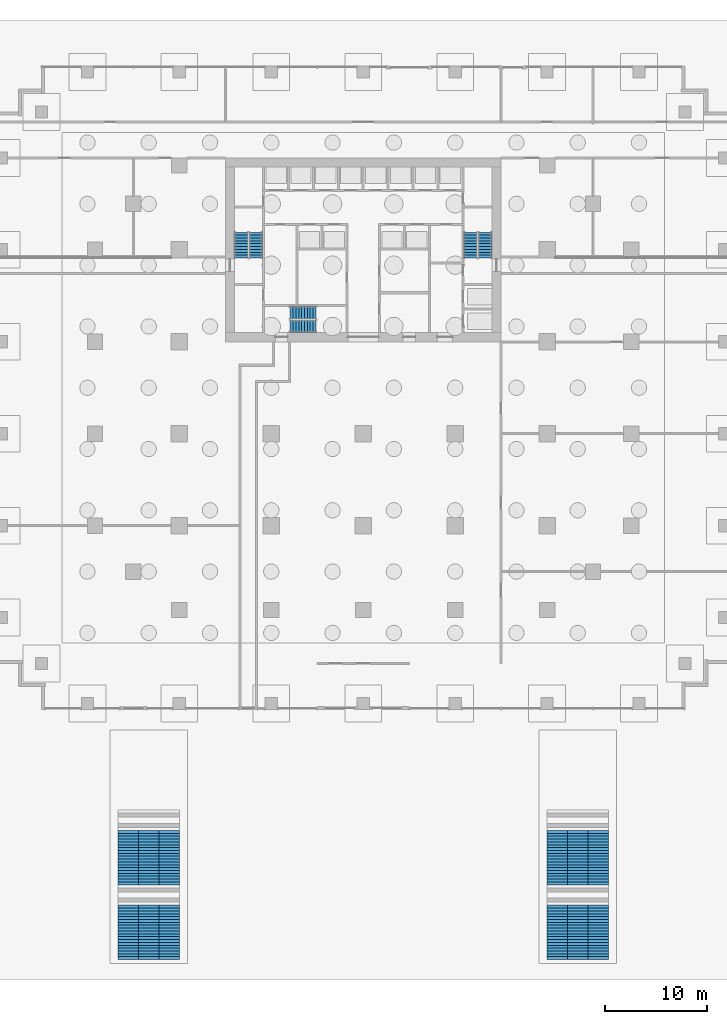
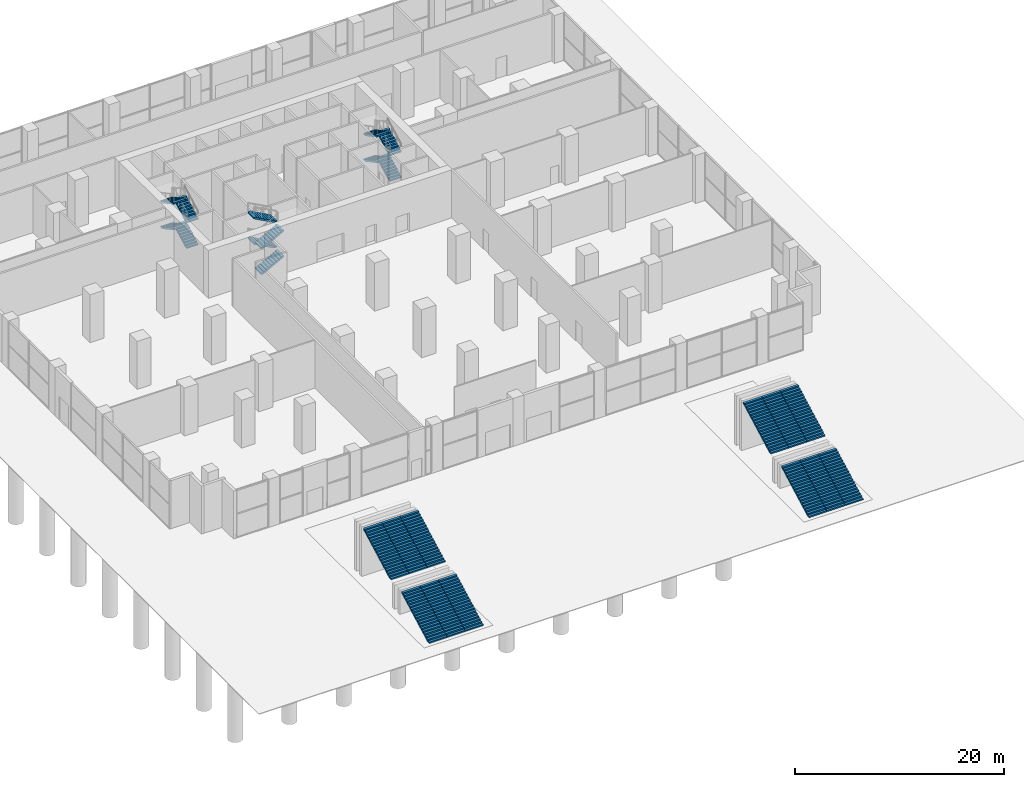
# One storey, part 18 of 20: 24 stair flights, 5 elements without a shape of their own.
"""IFC4 building model written with IfcOpenShell, lengths in metres."""

from ifc_helpers import new_model, si_unit, direction, frame, origin, place, context, subcontext, project, spatial, polyline, outline, extrude, material, type_object, element, aggregate, save


model = new_model("IFC4")

# Units and contexts
model_context = context("Model", 3, precision=1e-05, world=origin(), true_north=direction((0.0, 1.0)))
body_context = subcontext(model_context, "Body", "Model", "MODEL_VIEW")
ifc_project = project(units=[si_unit("LENGTHUNIT", "METRE"), si_unit("AREAUNIT", "SQUARE_METRE"), si_unit("VOLUMEUNIT", "CUBIC_METRE"), si_unit("PLANEANGLEUNIT", "RADIAN"), si_unit("MASSUNIT", "GRAM", prefix="KILO")], contexts=[model_context])

# Site, building, storey
site_placement = place(None, origin())
site = spatial("IfcSite", under=ifc_project, at=site_placement, CompositionType="ELEMENT")
building_placement = place(site_placement, origin())
building = spatial("IfcBuilding", under=site, at=building_placement, Name="Orbiselva Terraces", CompositionType="ELEMENT")
storey_placement = place(building_placement, origin())
storey = spatial("IfcBuildingStorey", under=building, at=storey_placement, Name="L00", CompositionType="ELEMENT", Elevation=0.0)

# Stair, stair flights
ifc_material = material(Name="Concrete C40/50", Category="concrete")
stair_type_1 = type_object("IfcStairType", Name="CORE-STAIR-1200", PredefinedType="HALF_TURN_STAIR", material=ifc_material)
stair_1_placement = place(storey_placement, origin())
stair_1 = element("IfcStair", 1, at=stair_1_placement, inside=storey, type_object=stair_type_1, Name="L00 Exit Stair S3", PredefinedType="HALF_TURN_STAIR")
stair_flight_type_1 = type_object("IfcStairFlightType", Name="CORE-STAIR-FLIGHT-1200", PredefinedType="STRAIGHT", material=ifc_material)
stair_flight_1_placement = place(storey_placement, frame((-7.15, 6.0, 0.0), z_axis=(0.0, 0.0, 1.0), x_axis=(1.0, 0.0, 0.0)))
stair_flight_1 = element("IfcStairFlight", 2, at=stair_flight_1_placement, type_object=stair_flight_type_1, Name="S3 flight 1", NumberOfRisers=10, NumberOfTreads=9, PredefinedType="STRAIGHT", RiserHeight=0.15, TreadLength=0.28, context=body_context, shape_type="SweptSolid", body=[
    extrude(outline(polyline([(0.0, 0.0), (0.0, 0.15), (0.28, 0.15), (0.28, 0.3), (0.56, 0.3), (0.56, 0.45), (0.84, 0.45), (0.84, 0.6), (1.12, 0.6), (1.12, 0.75), (1.4, 0.75), (1.4, 0.9), (1.68, 0.9), (1.68, 1.05), (1.96, 1.05), (1.96, 1.2), (2.24, 1.2), (2.24, 1.35), (2.52, 1.35), (2.52, 1.5), (2.52, 1.179832), (0.317648, 0.0), (0.0, 0.0)])), frame((0.0, 0.6, 0.0), z_axis=(0.0, -1.0, 0.0), x_axis=(1.0, 0.0, 0.0)), (0.0, 0.0, 1.0), 1.2),
])
stair_flight_2_placement = place(storey_placement, frame((-4.63, 7.35, 1.5), z_axis=(0.0, 0.0, 1.0), x_axis=(-1.0, 0.0, 0.0)))
stair_flight_2 = element("IfcStairFlight", 3, at=stair_flight_2_placement, type_object=stair_flight_type_1, Name="S3 flight 2", NumberOfRisers=10, NumberOfTreads=9, PredefinedType="STRAIGHT", RiserHeight=0.15, TreadLength=0.28, context=body_context, shape_type="SweptSolid", body=[
    extrude(outline(polyline([(0.0, 0.0), (0.0, 0.15), (0.28, 0.15), (0.28, 0.3), (0.56, 0.3), (0.56, 0.45), (0.84, 0.45), (0.84, 0.6), (1.12, 0.6), (1.12, 0.75), (1.4, 0.75), (1.4, 0.9), (1.68, 0.9), (1.68, 1.05), (1.96, 1.05), (1.96, 1.2), (2.24, 1.2), (2.24, 1.35), (2.52, 1.35), (2.52, 1.5), (2.52, 1.179832), (0.317648, 0.0), (0.0, 0.0)])), frame((0.0, 0.6, 0.0), z_axis=(0.0, -1.0, 0.0), x_axis=(1.0, 0.0, 0.0)), (0.0, 0.0, 1.0), 1.2),
])
stair_flight_3_placement = place(storey_placement, frame((-7.15, 6.0, 3.0), z_axis=(0.0, 0.0, 1.0), x_axis=(1.0, 0.0, 0.0)))
stair_flight_3 = element("IfcStairFlight", 4, at=stair_flight_3_placement, type_object=stair_flight_type_1, Name="S3 flight 3", NumberOfRisers=10, NumberOfTreads=9, PredefinedType="STRAIGHT", RiserHeight=0.15, TreadLength=0.28, context=body_context, shape_type="SweptSolid", body=[
    extrude(outline(polyline([(0.0, 0.0), (0.0, 0.15), (0.28, 0.15), (0.28, 0.3), (0.56, 0.3), (0.56, 0.45), (0.84, 0.45), (0.84, 0.6), (1.12, 0.6), (1.12, 0.75), (1.4, 0.75), (1.4, 0.9), (1.68, 0.9), (1.68, 1.05), (1.96, 1.05), (1.96, 1.2), (2.24, 1.2), (2.24, 1.35), (2.52, 1.35), (2.52, 1.5), (2.52, 1.179832), (0.317648, 0.0), (0.0, 0.0)])), frame((0.0, 0.6, 0.0), z_axis=(0.0, -1.0, 0.0), x_axis=(1.0, 0.0, 0.0)), (0.0, 0.0, 1.0), 1.2),
])
stair_flight_4_placement = place(storey_placement, frame((-4.63, 7.35, 4.5), z_axis=(0.0, 0.0, 1.0), x_axis=(-1.0, 0.0, 0.0)))
stair_flight_4 = element("IfcStairFlight", 5, at=stair_flight_4_placement, type_object=stair_flight_type_1, Name="S3 flight 4", NumberOfRisers=10, NumberOfTreads=9, PredefinedType="STRAIGHT", RiserHeight=0.15, TreadLength=0.28, context=body_context, shape_type="SweptSolid", body=[
    extrude(outline(polyline([(0.0, 0.0), (0.0, 0.15), (0.28, 0.15), (0.28, 0.3), (0.56, 0.3), (0.56, 0.45), (0.84, 0.45), (0.84, 0.6), (1.12, 0.6), (1.12, 0.75), (1.4, 0.75), (1.4, 0.9), (1.68, 0.9), (1.68, 1.05), (1.96, 1.05), (1.96, 1.2), (2.24, 1.2), (2.24, 1.35), (2.52, 1.35), (2.52, 1.5), (2.52, 1.179832), (0.317648, 0.0), (0.0, 0.0)])), frame((0.0, 0.6, 0.0), z_axis=(0.0, -1.0, 0.0), x_axis=(1.0, 0.0, 0.0)), (0.0, 0.0, 1.0), 1.2),
])
aggregate(stair_1, [stair_flight_1, stair_flight_2, stair_flight_3, stair_flight_4])

stair_type_2 = type_object("IfcStairType", Name="CORE-STAIR-1300", PredefinedType="HALF_TURN_STAIR", material=ifc_material)
stair_2_placement = place(storey_placement, origin())
stair_2 = element("IfcStair", 6, at=stair_2_placement, inside=storey, type_object=stair_type_2, Name="L00 Exit Stair S1", PredefinedType="HALF_TURN_STAIR")
stair_flight_type_2 = type_object("IfcStairFlightType", Name="CORE-STAIR-FLIGHT-1300", PredefinedType="STRAIGHT", material=ifc_material)
stair_flight_5_placement = place(storey_placement, frame((-10.5, 12.7, 0.0), z_axis=(0.0, 0.0, 1.0), x_axis=(0.0, 1.0, 0.0)))
stair_flight_5 = element("IfcStairFlight", 7, at=stair_flight_5_placement, type_object=stair_flight_type_2, Name="S1 flight 1", NumberOfRisers=10, NumberOfTreads=9, PredefinedType="STRAIGHT", RiserHeight=0.15, TreadLength=0.28, context=body_context, shape_type="SweptSolid", body=[
    extrude(outline(polyline([(0.0, 0.0), (0.0, 0.15), (0.28, 0.15), (0.28, 0.3), (0.56, 0.3), (0.56, 0.45), (0.84, 0.45), (0.84, 0.6), (1.12, 0.6), (1.12, 0.75), (1.4, 0.75), (1.4, 0.9), (1.68, 0.9), (1.68, 1.05), (1.96, 1.05), (1.96, 1.2), (2.24, 1.2), (2.24, 1.35), (2.52, 1.35), (2.52, 1.5), (2.52, 1.179832), (0.317648, 0.0), (0.0, 0.0)])), frame((0.0, 0.65, 0.0), z_axis=(0.0, -1.0, 0.0), x_axis=(1.0, 0.0, 0.0)), (0.0, 0.0, 1.0), 1.3),
])
stair_flight_6_placement = place(storey_placement, frame((-11.95, 15.22, 1.5), z_axis=(0.0, 0.0, 1.0), x_axis=(0.0, -1.0, 0.0)))
stair_flight_6 = element("IfcStairFlight", 8, at=stair_flight_6_placement, type_object=stair_flight_type_2, Name="S1 flight 2", NumberOfRisers=10, NumberOfTreads=9, PredefinedType="STRAIGHT", RiserHeight=0.15, TreadLength=0.28, context=body_context, shape_type="SweptSolid", body=[
    extrude(outline(polyline([(0.0, 0.0), (0.0, 0.15), (0.28, 0.15), (0.28, 0.3), (0.56, 0.3), (0.56, 0.45), (0.84, 0.45), (0.84, 0.6), (1.12, 0.6), (1.12, 0.75), (1.4, 0.75), (1.4, 0.9), (1.68, 0.9), (1.68, 1.05), (1.96, 1.05), (1.96, 1.2), (2.24, 1.2), (2.24, 1.35), (2.52, 1.35), (2.52, 1.5), (2.52, 1.179832), (0.317648, 0.0), (0.0, 0.0)])), frame((0.0, 0.65, 0.0), z_axis=(0.0, -1.0, 0.0), x_axis=(1.0, 0.0, 0.0)), (0.0, 0.0, 1.0), 1.3),
])
stair_flight_7_placement = place(storey_placement, frame((-10.5, 12.7, 3.0), z_axis=(0.0, 0.0, 1.0), x_axis=(0.0, 1.0, 0.0)))
stair_flight_7 = element("IfcStairFlight", 9, at=stair_flight_7_placement, type_object=stair_flight_type_2, Name="S1 flight 3", NumberOfRisers=10, NumberOfTreads=9, PredefinedType="STRAIGHT", RiserHeight=0.15, TreadLength=0.28, context=body_context, shape_type="SweptSolid", body=[
    extrude(outline(polyline([(0.0, 0.0), (0.0, 0.15), (0.28, 0.15), (0.28, 0.3), (0.56, 0.3), (0.56, 0.45), (0.84, 0.45), (0.84, 0.6), (1.12, 0.6), (1.12, 0.75), (1.4, 0.75), (1.4, 0.9), (1.68, 0.9), (1.68, 1.05), (1.96, 1.05), (1.96, 1.2), (2.24, 1.2), (2.24, 1.35), (2.52, 1.35), (2.52, 1.5), (2.52, 1.179832), (0.317648, 0.0), (0.0, 0.0)])), frame((0.0, 0.65, 0.0), z_axis=(0.0, -1.0, 0.0), x_axis=(1.0, 0.0, 0.0)), (0.0, 0.0, 1.0), 1.3),
])
stair_flight_8_placement = place(storey_placement, frame((-11.95, 15.22, 4.5), z_axis=(0.0, 0.0, 1.0), x_axis=(0.0, -1.0, 0.0)))
stair_flight_8 = element("IfcStairFlight", 10, at=stair_flight_8_placement, type_object=stair_flight_type_2, Name="S1 flight 4", NumberOfRisers=10, NumberOfTreads=9, PredefinedType="STRAIGHT", RiserHeight=0.15, TreadLength=0.28, context=body_context, shape_type="SweptSolid", body=[
    extrude(outline(polyline([(0.0, 0.0), (0.0, 0.15), (0.28, 0.15), (0.28, 0.3), (0.56, 0.3), (0.56, 0.45), (0.84, 0.45), (0.84, 0.6), (1.12, 0.6), (1.12, 0.75), (1.4, 0.75), (1.4, 0.9), (1.68, 0.9), (1.68, 1.05), (1.96, 1.05), (1.96, 1.2), (2.24, 1.2), (2.24, 1.35), (2.52, 1.35), (2.52, 1.5), (2.52, 1.179832), (0.317648, 0.0), (0.0, 0.0)])), frame((0.0, 0.65, 0.0), z_axis=(0.0, -1.0, 0.0), x_axis=(1.0, 0.0, 0.0)), (0.0, 0.0, 1.0), 1.3),
])
aggregate(stair_2, [stair_flight_5, stair_flight_6, stair_flight_7, stair_flight_8])

stair_3_placement = place(storey_placement, origin())
stair_3 = element("IfcStair", 11, at=stair_3_placement, inside=storey, type_object=stair_type_2, Name="L00 Exit Stair S2", PredefinedType="HALF_TURN_STAIR")
stair_flight_9_placement = place(storey_placement, frame((11.95, 12.7, 0.0), z_axis=(0.0, 0.0, 1.0), x_axis=(0.0, 1.0, 0.0)))
stair_flight_9 = element("IfcStairFlight", 12, at=stair_flight_9_placement, type_object=stair_flight_type_2, Name="S2 flight 1", NumberOfRisers=10, NumberOfTreads=9, PredefinedType="STRAIGHT", RiserHeight=0.15, TreadLength=0.28, context=body_context, shape_type="SweptSolid", body=[
    extrude(outline(polyline([(0.0, 0.0), (0.0, 0.15), (0.28, 0.15), (0.28, 0.3), (0.56, 0.3), (0.56, 0.45), (0.84, 0.45), (0.84, 0.6), (1.12, 0.6), (1.12, 0.75), (1.4, 0.75), (1.4, 0.9), (1.68, 0.9), (1.68, 1.05), (1.96, 1.05), (1.96, 1.2), (2.24, 1.2), (2.24, 1.35), (2.52, 1.35), (2.52, 1.5), (2.52, 1.179832), (0.317648, 0.0), (0.0, 0.0)])), frame((0.0, 0.65, 0.0), z_axis=(0.0, -1.0, 0.0), x_axis=(1.0, 0.0, 0.0)), (0.0, 0.0, 1.0), 1.3),
])
stair_flight_10_placement = place(storey_placement, frame((10.5, 15.22, 1.5), z_axis=(0.0, 0.0, 1.0), x_axis=(0.0, -1.0, 0.0)))
stair_flight_10 = element("IfcStairFlight", 13, at=stair_flight_10_placement, type_object=stair_flight_type_2, Name="S2 flight 2", NumberOfRisers=10, NumberOfTreads=9, PredefinedType="STRAIGHT", RiserHeight=0.15, TreadLength=0.28, context=body_context, shape_type="SweptSolid", body=[
    extrude(outline(polyline([(0.0, 0.0), (0.0, 0.15), (0.28, 0.15), (0.28, 0.3), (0.56, 0.3), (0.56, 0.45), (0.84, 0.45), (0.84, 0.6), (1.12, 0.6), (1.12, 0.75), (1.4, 0.75), (1.4, 0.9), (1.68, 0.9), (1.68, 1.05), (1.96, 1.05), (1.96, 1.2), (2.24, 1.2), (2.24, 1.35), (2.52, 1.35), (2.52, 1.5), (2.52, 1.179832), (0.317648, 0.0), (0.0, 0.0)])), frame((0.0, 0.65, 0.0), z_axis=(0.0, -1.0, 0.0), x_axis=(1.0, 0.0, 0.0)), (0.0, 0.0, 1.0), 1.3),
])
stair_flight_11_placement = place(storey_placement, frame((11.95, 12.7, 3.0), z_axis=(0.0, 0.0, 1.0), x_axis=(0.0, 1.0, 0.0)))
stair_flight_11 = element("IfcStairFlight", 14, at=stair_flight_11_placement, type_object=stair_flight_type_2, Name="S2 flight 3", NumberOfRisers=10, NumberOfTreads=9, PredefinedType="STRAIGHT", RiserHeight=0.15, TreadLength=0.28, context=body_context, shape_type="SweptSolid", body=[
    extrude(outline(polyline([(0.0, 0.0), (0.0, 0.15), (0.28, 0.15), (0.28, 0.3), (0.56, 0.3), (0.56, 0.45), (0.84, 0.45), (0.84, 0.6), (1.12, 0.6), (1.12, 0.75), (1.4, 0.75), (1.4, 0.9), (1.68, 0.9), (1.68, 1.05), (1.96, 1.05), (1.96, 1.2), (2.24, 1.2), (2.24, 1.35), (2.52, 1.35), (2.52, 1.5), (2.52, 1.179832), (0.317648, 0.0), (0.0, 0.0)])), frame((0.0, 0.65, 0.0), z_axis=(0.0, -1.0, 0.0), x_axis=(1.0, 0.0, 0.0)), (0.0, 0.0, 1.0), 1.3),
])
stair_flight_12_placement = place(storey_placement, frame((10.5, 15.22, 4.5), z_axis=(0.0, 0.0, 1.0), x_axis=(0.0, -1.0, 0.0)))
stair_flight_12 = element("IfcStairFlight", 15, at=stair_flight_12_placement, type_object=stair_flight_type_2, Name="S2 flight 4", NumberOfRisers=10, NumberOfTreads=9, PredefinedType="STRAIGHT", RiserHeight=0.15, TreadLength=0.28, context=body_context, shape_type="SweptSolid", body=[
    extrude(outline(polyline([(0.0, 0.0), (0.0, 0.15), (0.28, 0.15), (0.28, 0.3), (0.56, 0.3), (0.56, 0.45), (0.84, 0.45), (0.84, 0.6), (1.12, 0.6), (1.12, 0.75), (1.4, 0.75), (1.4, 0.9), (1.68, 0.9), (1.68, 1.05), (1.96, 1.05), (1.96, 1.2), (2.24, 1.2), (2.24, 1.35), (2.52, 1.35), (2.52, 1.5), (2.52, 1.179832), (0.317648, 0.0), (0.0, 0.0)])), frame((0.0, 0.65, 0.0), z_axis=(0.0, -1.0, 0.0), x_axis=(1.0, 0.0, 0.0)), (0.0, 0.0, 1.0), 1.3),
])
aggregate(stair_3, [stair_flight_9, stair_flight_10, stair_flight_11, stair_flight_12])

stair_type_3 = type_object("IfcStairType", Name="ENV-BROAD-STAIR", PredefinedType="STRAIGHT_RUN_STAIR", material=ifc_material)
stair_4_placement = place(storey_placement, origin())
stair_4 = element("IfcStair", 16, at=stair_4_placement, inside=storey, type_object=stair_type_3, Name="Broad stair 1 lower", PredefinedType="STRAIGHT_RUN_STAIR")
stair_flight_type_3 = type_object("IfcStairFlightType", Name="ENV-BROAD-STAIR-FLIGHT", PredefinedType="STRAIGHT", material=ifc_material)
stair_flight_13_placement = place(storey_placement, frame((-23.01, -55.98, 0.0), z_axis=(0.0, 0.0, 1.0), x_axis=(0.0, 1.0, 0.0)))
stair_flight_13 = element("IfcStairFlight", 17, at=stair_flight_13_placement, type_object=stair_flight_type_3, Name="BR1 flight 1", NumberOfRisers=20, NumberOfTreads=19, PredefinedType="STRAIGHT", RiserHeight=0.15, TreadLength=0.28, context=body_context, shape_type="SweptSolid", body=[
    extrude(outline(polyline([(0.0, 0.0), (0.0, 0.15), (0.28, 0.15), (0.28, 0.3), (0.56, 0.3), (0.56, 0.45), (0.84, 0.45), (0.84, 0.6), (1.12, 0.6), (1.12, 0.75), (1.4, 0.75), (1.4, 0.9), (1.68, 0.9), (1.68, 1.05), (1.96, 1.05), (1.96, 1.2), (2.24, 1.2), (2.24, 1.35), (2.52, 1.35), (2.52, 1.5), (2.8, 1.5), (2.8, 1.65), (3.08, 1.65), (3.08, 1.8), (3.36, 1.8), (3.36, 1.95), (3.64, 1.95), (3.64, 2.1), (3.92, 2.1), (3.92, 2.25), (4.2, 2.25), (4.2, 2.4), (4.48, 2.4), (4.48, 2.55), (4.76, 2.55), (4.76, 2.7), (5.04, 2.7), (5.04, 2.85), (5.32, 2.85), (5.32, 3.0), (5.32, 2.679832), (0.317648, 0.0), (0.0, 0.0)])), frame((0.0, 0.99, 0.0), z_axis=(0.0, -1.0, 0.0), x_axis=(1.0, 0.0, 0.0)), (0.0, 0.0, 1.0), 1.98),
])
stair_flight_14_placement = place(storey_placement, frame((-21.0, -55.98, 0.0), z_axis=(0.0, 0.0, 1.0), x_axis=(0.0, 1.0, 0.0)))
stair_flight_14 = element("IfcStairFlight", 18, at=stair_flight_14_placement, type_object=stair_flight_type_3, Name="BR1 flight 2", NumberOfRisers=20, NumberOfTreads=19, PredefinedType="STRAIGHT", RiserHeight=0.15, TreadLength=0.28, context=body_context, shape_type="SweptSolid", body=[
    extrude(outline(polyline([(0.0, 0.0), (0.0, 0.15), (0.28, 0.15), (0.28, 0.3), (0.56, 0.3), (0.56, 0.45), (0.84, 0.45), (0.84, 0.6), (1.12, 0.6), (1.12, 0.75), (1.4, 0.75), (1.4, 0.9), (1.68, 0.9), (1.68, 1.05), (1.96, 1.05), (1.96, 1.2), (2.24, 1.2), (2.24, 1.35), (2.52, 1.35), (2.52, 1.5), (2.8, 1.5), (2.8, 1.65), (3.08, 1.65), (3.08, 1.8), (3.36, 1.8), (3.36, 1.95), (3.64, 1.95), (3.64, 2.1), (3.92, 2.1), (3.92, 2.25), (4.2, 2.25), (4.2, 2.4), (4.48, 2.4), (4.48, 2.55), (4.76, 2.55), (4.76, 2.7), (5.04, 2.7), (5.04, 2.85), (5.32, 2.85), (5.32, 3.0), (5.32, 2.679832), (0.317648, 0.0), (0.0, 0.0)])), frame((0.0, 0.99, 0.0), z_axis=(0.0, -1.0, 0.0), x_axis=(1.0, 0.0, 0.0)), (0.0, 0.0, 1.0), 1.98),
])
stair_flight_15_placement = place(storey_placement, frame((-18.99, -55.98, 0.0), z_axis=(0.0, 0.0, 1.0), x_axis=(0.0, 1.0, 0.0)))
stair_flight_15 = element("IfcStairFlight", 19, at=stair_flight_15_placement, type_object=stair_flight_type_3, Name="BR1 flight 3", NumberOfRisers=20, NumberOfTreads=19, PredefinedType="STRAIGHT", RiserHeight=0.15, TreadLength=0.28, context=body_context, shape_type="SweptSolid", body=[
    extrude(outline(polyline([(0.0, 0.0), (0.0, 0.15), (0.28, 0.15), (0.28, 0.3), (0.56, 0.3), (0.56, 0.45), (0.84, 0.45), (0.84, 0.6), (1.12, 0.6), (1.12, 0.75), (1.4, 0.75), (1.4, 0.9), (1.68, 0.9), (1.68, 1.05), (1.96, 1.05), (1.96, 1.2), (2.24, 1.2), (2.24, 1.35), (2.52, 1.35), (2.52, 1.5), (2.8, 1.5), (2.8, 1.65), (3.08, 1.65), (3.08, 1.8), (3.36, 1.8), (3.36, 1.95), (3.64, 1.95), (3.64, 2.1), (3.92, 2.1), (3.92, 2.25), (4.2, 2.25), (4.2, 2.4), (4.48, 2.4), (4.48, 2.55), (4.76, 2.55), (4.76, 2.7), (5.04, 2.7), (5.04, 2.85), (5.32, 2.85), (5.32, 3.0), (5.32, 2.679832), (0.317648, 0.0), (0.0, 0.0)])), frame((0.0, 0.99, 0.0), z_axis=(0.0, -1.0, 0.0), x_axis=(1.0, 0.0, 0.0)), (0.0, 0.0, 1.0), 1.98),
])
stair_flight_16_placement = place(storey_placement, frame((-23.01, -48.66, 3.0), z_axis=(0.0, 0.0, 1.0), x_axis=(0.0, 1.0, 0.0)))
stair_flight_16 = element("IfcStairFlight", 20, at=stair_flight_16_placement, type_object=stair_flight_type_3, Name="BR1 flight 4", NumberOfRisers=20, NumberOfTreads=19, PredefinedType="STRAIGHT", RiserHeight=0.15, TreadLength=0.28, context=body_context, shape_type="SweptSolid", body=[
    extrude(outline(polyline([(0.0, 0.0), (0.0, 0.15), (0.28, 0.15), (0.28, 0.3), (0.56, 0.3), (0.56, 0.45), (0.84, 0.45), (0.84, 0.6), (1.12, 0.6), (1.12, 0.75), (1.4, 0.75), (1.4, 0.9), (1.68, 0.9), (1.68, 1.05), (1.96, 1.05), (1.96, 1.2), (2.24, 1.2), (2.24, 1.35), (2.52, 1.35), (2.52, 1.5), (2.8, 1.5), (2.8, 1.65), (3.08, 1.65), (3.08, 1.8), (3.36, 1.8), (3.36, 1.95), (3.64, 1.95), (3.64, 2.1), (3.92, 2.1), (3.92, 2.25), (4.2, 2.25), (4.2, 2.4), (4.48, 2.4), (4.48, 2.55), (4.76, 2.55), (4.76, 2.7), (5.04, 2.7), (5.04, 2.85), (5.32, 2.85), (5.32, 3.0), (5.32, 2.679832), (0.317648, 0.0), (0.0, 0.0)])), frame((0.0, 0.99, 0.0), z_axis=(0.0, -1.0, 0.0), x_axis=(1.0, 0.0, 0.0)), (0.0, 0.0, 1.0), 1.98),
])
stair_flight_17_placement = place(storey_placement, frame((-21.0, -48.66, 3.0), z_axis=(0.0, 0.0, 1.0), x_axis=(0.0, 1.0, 0.0)))
stair_flight_17 = element("IfcStairFlight", 21, at=stair_flight_17_placement, type_object=stair_flight_type_3, Name="BR1 flight 5", NumberOfRisers=20, NumberOfTreads=19, PredefinedType="STRAIGHT", RiserHeight=0.15, TreadLength=0.28, context=body_context, shape_type="SweptSolid", body=[
    extrude(outline(polyline([(0.0, 0.0), (0.0, 0.15), (0.28, 0.15), (0.28, 0.3), (0.56, 0.3), (0.56, 0.45), (0.84, 0.45), (0.84, 0.6), (1.12, 0.6), (1.12, 0.75), (1.4, 0.75), (1.4, 0.9), (1.68, 0.9), (1.68, 1.05), (1.96, 1.05), (1.96, 1.2), (2.24, 1.2), (2.24, 1.35), (2.52, 1.35), (2.52, 1.5), (2.8, 1.5), (2.8, 1.65), (3.08, 1.65), (3.08, 1.8), (3.36, 1.8), (3.36, 1.95), (3.64, 1.95), (3.64, 2.1), (3.92, 2.1), (3.92, 2.25), (4.2, 2.25), (4.2, 2.4), (4.48, 2.4), (4.48, 2.55), (4.76, 2.55), (4.76, 2.7), (5.04, 2.7), (5.04, 2.85), (5.32, 2.85), (5.32, 3.0), (5.32, 2.679832), (0.317648, 0.0), (0.0, 0.0)])), frame((0.0, 0.99, 0.0), z_axis=(0.0, -1.0, 0.0), x_axis=(1.0, 0.0, 0.0)), (0.0, 0.0, 1.0), 1.98),
])
stair_flight_18_placement = place(storey_placement, frame((-18.99, -48.66, 3.0), z_axis=(0.0, 0.0, 1.0), x_axis=(0.0, 1.0, 0.0)))
stair_flight_18 = element("IfcStairFlight", 22, at=stair_flight_18_placement, type_object=stair_flight_type_3, Name="BR1 flight 6", NumberOfRisers=20, NumberOfTreads=19, PredefinedType="STRAIGHT", RiserHeight=0.15, TreadLength=0.28, context=body_context, shape_type="SweptSolid", body=[
    extrude(outline(polyline([(0.0, 0.0), (0.0, 0.15), (0.28, 0.15), (0.28, 0.3), (0.56, 0.3), (0.56, 0.45), (0.84, 0.45), (0.84, 0.6), (1.12, 0.6), (1.12, 0.75), (1.4, 0.75), (1.4, 0.9), (1.68, 0.9), (1.68, 1.05), (1.96, 1.05), (1.96, 1.2), (2.24, 1.2), (2.24, 1.35), (2.52, 1.35), (2.52, 1.5), (2.8, 1.5), (2.8, 1.65), (3.08, 1.65), (3.08, 1.8), (3.36, 1.8), (3.36, 1.95), (3.64, 1.95), (3.64, 2.1), (3.92, 2.1), (3.92, 2.25), (4.2, 2.25), (4.2, 2.4), (4.48, 2.4), (4.48, 2.55), (4.76, 2.55), (4.76, 2.7), (5.04, 2.7), (5.04, 2.85), (5.32, 2.85), (5.32, 3.0), (5.32, 2.679832), (0.317648, 0.0), (0.0, 0.0)])), frame((0.0, 0.99, 0.0), z_axis=(0.0, -1.0, 0.0), x_axis=(1.0, 0.0, 0.0)), (0.0, 0.0, 1.0), 1.98),
])
aggregate(stair_4, [stair_flight_13, stair_flight_14, stair_flight_15, stair_flight_16, stair_flight_17, stair_flight_18])

stair_5_placement = place(storey_placement, origin())
stair_5 = element("IfcStair", 23, at=stair_5_placement, inside=storey, type_object=stair_type_3, Name="Broad stair 2 lower", PredefinedType="STRAIGHT_RUN_STAIR")
stair_flight_19_placement = place(storey_placement, frame((18.99, -55.98, 0.0), z_axis=(0.0, 0.0, 1.0), x_axis=(0.0, 1.0, 0.0)))
stair_flight_19 = element("IfcStairFlight", 24, at=stair_flight_19_placement, type_object=stair_flight_type_3, Name="BR1 flight 1", NumberOfRisers=20, NumberOfTreads=19, PredefinedType="STRAIGHT", RiserHeight=0.15, TreadLength=0.28, context=body_context, shape_type="SweptSolid", body=[
    extrude(outline(polyline([(0.0, 0.0), (0.0, 0.15), (0.28, 0.15), (0.28, 0.3), (0.56, 0.3), (0.56, 0.45), (0.84, 0.45), (0.84, 0.6), (1.12, 0.6), (1.12, 0.75), (1.4, 0.75), (1.4, 0.9), (1.68, 0.9), (1.68, 1.05), (1.96, 1.05), (1.96, 1.2), (2.24, 1.2), (2.24, 1.35), (2.52, 1.35), (2.52, 1.5), (2.8, 1.5), (2.8, 1.65), (3.08, 1.65), (3.08, 1.8), (3.36, 1.8), (3.36, 1.95), (3.64, 1.95), (3.64, 2.1), (3.92, 2.1), (3.92, 2.25), (4.2, 2.25), (4.2, 2.4), (4.48, 2.4), (4.48, 2.55), (4.76, 2.55), (4.76, 2.7), (5.04, 2.7), (5.04, 2.85), (5.32, 2.85), (5.32, 3.0), (5.32, 2.679832), (0.317648, 0.0), (0.0, 0.0)])), frame((0.0, 0.99, 0.0), z_axis=(0.0, -1.0, 0.0), x_axis=(1.0, 0.0, 0.0)), (0.0, 0.0, 1.0), 1.98),
])
stair_flight_20_placement = place(storey_placement, frame((21.0, -55.98, 0.0), z_axis=(0.0, 0.0, 1.0), x_axis=(0.0, 1.0, 0.0)))
stair_flight_20 = element("IfcStairFlight", 25, at=stair_flight_20_placement, type_object=stair_flight_type_3, Name="BR1 flight 2", NumberOfRisers=20, NumberOfTreads=19, PredefinedType="STRAIGHT", RiserHeight=0.15, TreadLength=0.28, context=body_context, shape_type="SweptSolid", body=[
    extrude(outline(polyline([(0.0, 0.0), (0.0, 0.15), (0.28, 0.15), (0.28, 0.3), (0.56, 0.3), (0.56, 0.45), (0.84, 0.45), (0.84, 0.6), (1.12, 0.6), (1.12, 0.75), (1.4, 0.75), (1.4, 0.9), (1.68, 0.9), (1.68, 1.05), (1.96, 1.05), (1.96, 1.2), (2.24, 1.2), (2.24, 1.35), (2.52, 1.35), (2.52, 1.5), (2.8, 1.5), (2.8, 1.65), (3.08, 1.65), (3.08, 1.8), (3.36, 1.8), (3.36, 1.95), (3.64, 1.95), (3.64, 2.1), (3.92, 2.1), (3.92, 2.25), (4.2, 2.25), (4.2, 2.4), (4.48, 2.4), (4.48, 2.55), (4.76, 2.55), (4.76, 2.7), (5.04, 2.7), (5.04, 2.85), (5.32, 2.85), (5.32, 3.0), (5.32, 2.679832), (0.317648, 0.0), (0.0, 0.0)])), frame((0.0, 0.99, 0.0), z_axis=(0.0, -1.0, 0.0), x_axis=(1.0, 0.0, 0.0)), (0.0, 0.0, 1.0), 1.98),
])
stair_flight_21_placement = place(storey_placement, frame((23.01, -55.98, 0.0), z_axis=(0.0, 0.0, 1.0), x_axis=(0.0, 1.0, 0.0)))
stair_flight_21 = element("IfcStairFlight", 26, at=stair_flight_21_placement, type_object=stair_flight_type_3, Name="BR1 flight 3", NumberOfRisers=20, NumberOfTreads=19, PredefinedType="STRAIGHT", RiserHeight=0.15, TreadLength=0.28, context=body_context, shape_type="SweptSolid", body=[
    extrude(outline(polyline([(0.0, 0.0), (0.0, 0.15), (0.28, 0.15), (0.28, 0.3), (0.56, 0.3), (0.56, 0.45), (0.84, 0.45), (0.84, 0.6), (1.12, 0.6), (1.12, 0.75), (1.4, 0.75), (1.4, 0.9), (1.68, 0.9), (1.68, 1.05), (1.96, 1.05), (1.96, 1.2), (2.24, 1.2), (2.24, 1.35), (2.52, 1.35), (2.52, 1.5), (2.8, 1.5), (2.8, 1.65), (3.08, 1.65), (3.08, 1.8), (3.36, 1.8), (3.36, 1.95), (3.64, 1.95), (3.64, 2.1), (3.92, 2.1), (3.92, 2.25), (4.2, 2.25), (4.2, 2.4), (4.48, 2.4), (4.48, 2.55), (4.76, 2.55), (4.76, 2.7), (5.04, 2.7), (5.04, 2.85), (5.32, 2.85), (5.32, 3.0), (5.32, 2.679832), (0.317648, 0.0), (0.0, 0.0)])), frame((0.0, 0.99, 0.0), z_axis=(0.0, -1.0, 0.0), x_axis=(1.0, 0.0, 0.0)), (0.0, 0.0, 1.0), 1.98),
])
stair_flight_22_placement = place(storey_placement, frame((18.99, -48.66, 3.0), z_axis=(0.0, 0.0, 1.0), x_axis=(0.0, 1.0, 0.0)))
stair_flight_22 = element("IfcStairFlight", 27, at=stair_flight_22_placement, type_object=stair_flight_type_3, Name="BR1 flight 4", NumberOfRisers=20, NumberOfTreads=19, PredefinedType="STRAIGHT", RiserHeight=0.15, TreadLength=0.28, context=body_context, shape_type="SweptSolid", body=[
    extrude(outline(polyline([(0.0, 0.0), (0.0, 0.15), (0.28, 0.15), (0.28, 0.3), (0.56, 0.3), (0.56, 0.45), (0.84, 0.45), (0.84, 0.6), (1.12, 0.6), (1.12, 0.75), (1.4, 0.75), (1.4, 0.9), (1.68, 0.9), (1.68, 1.05), (1.96, 1.05), (1.96, 1.2), (2.24, 1.2), (2.24, 1.35), (2.52, 1.35), (2.52, 1.5), (2.8, 1.5), (2.8, 1.65), (3.08, 1.65), (3.08, 1.8), (3.36, 1.8), (3.36, 1.95), (3.64, 1.95), (3.64, 2.1), (3.92, 2.1), (3.92, 2.25), (4.2, 2.25), (4.2, 2.4), (4.48, 2.4), (4.48, 2.55), (4.76, 2.55), (4.76, 2.7), (5.04, 2.7), (5.04, 2.85), (5.32, 2.85), (5.32, 3.0), (5.32, 2.679832), (0.317648, 0.0), (0.0, 0.0)])), frame((0.0, 0.99, 0.0), z_axis=(0.0, -1.0, 0.0), x_axis=(1.0, 0.0, 0.0)), (0.0, 0.0, 1.0), 1.98),
])
stair_flight_23_placement = place(storey_placement, frame((21.0, -48.66, 3.0), z_axis=(0.0, 0.0, 1.0), x_axis=(0.0, 1.0, 0.0)))
stair_flight_23 = element("IfcStairFlight", 28, at=stair_flight_23_placement, type_object=stair_flight_type_3, Name="BR1 flight 5", NumberOfRisers=20, NumberOfTreads=19, PredefinedType="STRAIGHT", RiserHeight=0.15, TreadLength=0.28, context=body_context, shape_type="SweptSolid", body=[
    extrude(outline(polyline([(0.0, 0.0), (0.0, 0.15), (0.28, 0.15), (0.28, 0.3), (0.56, 0.3), (0.56, 0.45), (0.84, 0.45), (0.84, 0.6), (1.12, 0.6), (1.12, 0.75), (1.4, 0.75), (1.4, 0.9), (1.68, 0.9), (1.68, 1.05), (1.96, 1.05), (1.96, 1.2), (2.24, 1.2), (2.24, 1.35), (2.52, 1.35), (2.52, 1.5), (2.8, 1.5), (2.8, 1.65), (3.08, 1.65), (3.08, 1.8), (3.36, 1.8), (3.36, 1.95), (3.64, 1.95), (3.64, 2.1), (3.92, 2.1), (3.92, 2.25), (4.2, 2.25), (4.2, 2.4), (4.48, 2.4), (4.48, 2.55), (4.76, 2.55), (4.76, 2.7), (5.04, 2.7), (5.04, 2.85), (5.32, 2.85), (5.32, 3.0), (5.32, 2.679832), (0.317648, 0.0), (0.0, 0.0)])), frame((0.0, 0.99, 0.0), z_axis=(0.0, -1.0, 0.0), x_axis=(1.0, 0.0, 0.0)), (0.0, 0.0, 1.0), 1.98),
])
stair_flight_24_placement = place(storey_placement, frame((23.01, -48.66, 3.0), z_axis=(0.0, 0.0, 1.0), x_axis=(0.0, 1.0, 0.0)))
stair_flight_24 = element("IfcStairFlight", 29, at=stair_flight_24_placement, type_object=stair_flight_type_3, Name="BR1 flight 6", NumberOfRisers=20, NumberOfTreads=19, PredefinedType="STRAIGHT", RiserHeight=0.15, TreadLength=0.28, context=body_context, shape_type="SweptSolid", body=[
    extrude(outline(polyline([(0.0, 0.0), (0.0, 0.15), (0.28, 0.15), (0.28, 0.3), (0.56, 0.3), (0.56, 0.45), (0.84, 0.45), (0.84, 0.6), (1.12, 0.6), (1.12, 0.75), (1.4, 0.75), (1.4, 0.9), (1.68, 0.9), (1.68, 1.05), (1.96, 1.05), (1.96, 1.2), (2.24, 1.2), (2.24, 1.35), (2.52, 1.35), (2.52, 1.5), (2.8, 1.5), (2.8, 1.65), (3.08, 1.65), (3.08, 1.8), (3.36, 1.8), (3.36, 1.95), (3.64, 1.95), (3.64, 2.1), (3.92, 2.1), (3.92, 2.25), (4.2, 2.25), (4.2, 2.4), (4.48, 2.4), (4.48, 2.55), (4.76, 2.55), (4.76, 2.7), (5.04, 2.7), (5.04, 2.85), (5.32, 2.85), (5.32, 3.0), (5.32, 2.679832), (0.317648, 0.0), (0.0, 0.0)])), frame((0.0, 0.99, 0.0), z_axis=(0.0, -1.0, 0.0), x_axis=(1.0, 0.0, 0.0)), (0.0, 0.0, 1.0), 1.98),
])
aggregate(stair_5, [stair_flight_19, stair_flight_20, stair_flight_21, stair_flight_22, stair_flight_23, stair_flight_24])

save(model, "model.ifc")
